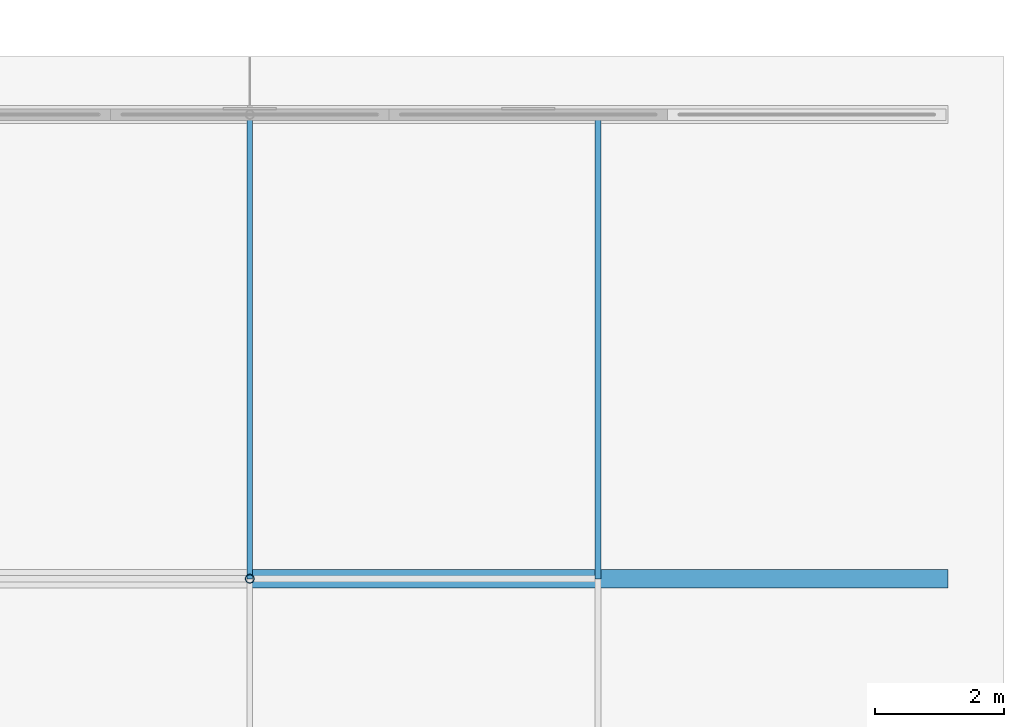
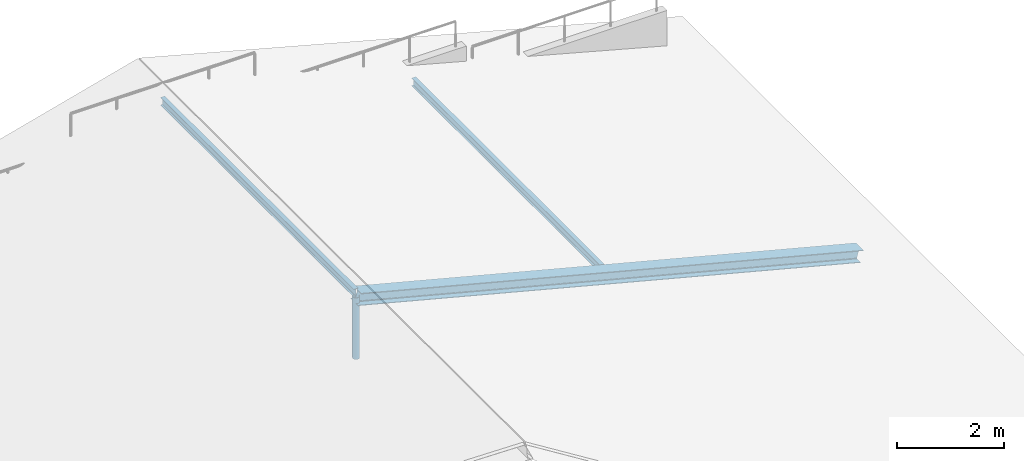
# One storey, part 15 of 40: 4 members.
"""IFC4 building model written with IfcOpenShell, lengths in metres."""

from ifc_helpers import new_model, si_unit, direction, frame, origin, origin_2d, place, context, subcontext, project, spatial, hollow_circle, i_section, extrude, material, material_profile, profile_set, type_object, element, save


model = new_model("IFC4")

# Units and contexts
model_context = context("Model", 3, precision=1e-05, world=origin(), true_north=direction((0.0, 1.0)))
body_context = subcontext(model_context, "Body", "Model", "MODEL_VIEW")
ifc_project = project(units=[si_unit("LENGTHUNIT", "METRE"), si_unit("AREAUNIT", "SQUARE_METRE"), si_unit("VOLUMEUNIT", "CUBIC_METRE"), si_unit("PLANEANGLEUNIT", "RADIAN"), si_unit("MASSUNIT", "GRAM", prefix="KILO"), si_unit("THERMODYNAMICTEMPERATUREUNIT", "KELVIN"), si_unit("POWERUNIT", "WATT")], contexts=[model_context])

# Site, building, storey
site_placement = place(None, origin())
site = spatial("IfcSite", under=ifc_project, at=site_placement, CompositionType="ELEMENT")
building_placement = place(site_placement, origin())
building = spatial("IfcBuilding", under=site, at=building_placement, Name="Tavuni Mirador Residences", CompositionType="ELEMENT")
storey_placement = place(building_placement, frame((0.0, 0.0, 36.0)))
storey = spatial("IfcBuildingStorey", under=building, at=storey_placement, Name="L11", CompositionType="ELEMENT", Elevation=36.0)

# Members
ifc_material = material(Name="Structural steel S355", Category="steel")
ifc_material_profile_1 = material_profile(ifc_material, hollow_circle(Radius=0.06982421875, WallThickness=0.008056640625, at=origin_2d()), Name="CHS 139.7x8.0", Category="steel")
ifc_profile_set_1 = profile_set([ifc_material_profile_1], Name="Structural steel S355")
member_type_1 = type_object("IfcMemberType", Name="MT-BR-CHS139", PredefinedType="BRACE", material=ifc_profile_set_1)
member_1_placement = place(storey_placement, frame((108.0, 115.199951171875, 1.050048828125), z_axis=(0.0, 0.0, 1.0), x_axis=(1.0, 0.0, 0.0)))
element("IfcMember", 1, at=member_1_placement, inside=storey, type_object=member_type_1, Name="RKP-BLK-D-04", PredefinedType="BRACE", context=body_context, shape_type="SweptSolid", body=[
    extrude(hollow_circle(Radius=0.06982421875, WallThickness=0.008056640625, at=origin_2d()), origin(), (0.0, 0.0, 1.0), 1.39990234375),
])
ifc_material_profile_2 = material_profile(ifc_material, i_section(OverallWidth=0.280029296875, OverallDepth=0.27001953125, WebThickness=0.008056640625, FlangeThickness=0.012939453125, FilletRadius=0.02392578125, at=origin_2d()), Name="HEA 280", Category="steel")
ifc_profile_set_2 = profile_set([ifc_material_profile_2], Name="Structural steel S355")
member_type_2 = type_object("IfcMemberType", Name="MT-CH-HEA280", PredefinedType="CHORD", material=ifc_profile_set_2)
member_2_placement = place(storey_placement, frame((108.0, 115.199951171875, 2.449951171875), z_axis=(0.967996110632, 0.0, -0.250965196393), x_axis=(0.0, 1.0, 0.0)))
element("IfcMember", 2, at=member_2_placement, inside=storey, type_object=member_type_2, Name="RAF-BLK-D-04-E", PredefinedType="CHORD", context=body_context, shape_type="SweptSolid", body=[
    extrude(i_section(OverallWidth=0.280029296875, OverallDepth=0.27001953125, WebThickness=0.008056640625, FlangeThickness=0.012939453125, FilletRadius=0.02392578125, at=origin_2d()), origin(), (0.0, 0.0, 1.0), 11.1572265625),
])
ifc_material_profile_3 = material_profile(ifc_material, i_section(OverallWidth=0.091064453125, OverallDepth=0.179931640625, WebThickness=0.00537109375, FlangeThickness=0.008056640625, FilletRadius=0.009033203125, at=origin_2d()), Name="IPE 180", Category="steel")
ifc_profile_set_3 = profile_set([ifc_material_profile_3], Name="Structural steel S355")
member_type_3 = type_object("IfcMemberType", Name="MT-PR-IPE180", PredefinedType="PURLIN", material=ifc_profile_set_3)
for number, where, z_axis, x_axis, name in (
    (3, (108.0, 115.199951171875, 2.52490234375), (0.0, 1.0, 0.0), (-1.0, 0.0, 0.0), "RPUR-BLK-D-50-04"),
    (4, (113.39990234375, 115.199951171875, 1.074951171875), (0.0, 1.0, 0.0), (-1.0, 0.0, 0.0), "RPUR-BLK-D-75-04"),
):
    element("IfcMember", number, at=place(storey_placement, frame(where, z_axis=z_axis, x_axis=x_axis)), inside=storey, type_object=member_type_3, Name=name, PredefinedType="PURLIN", context=body_context, shape_type="SweptSolid", body=[
        extrude(i_section(OverallWidth=0.091064453125, OverallDepth=0.179931640625, WebThickness=0.00537109375, FlangeThickness=0.008056640625, FilletRadius=0.009033203125, at=origin_2d()), origin(), (0.0, 0.0, 1.0), 7.199951171875),
    ])

save(model, "model.ifc")
